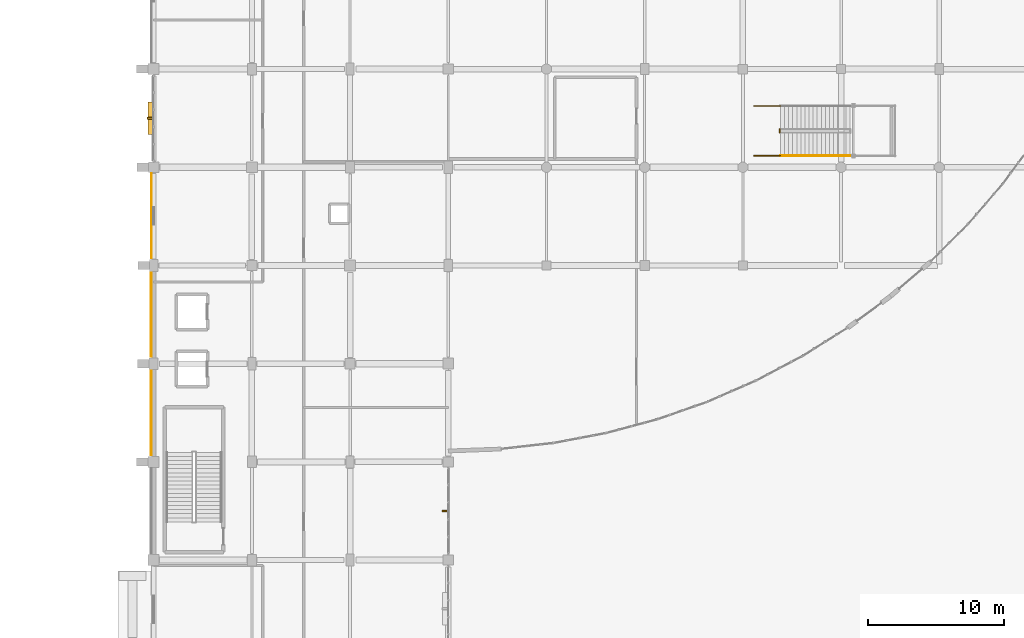
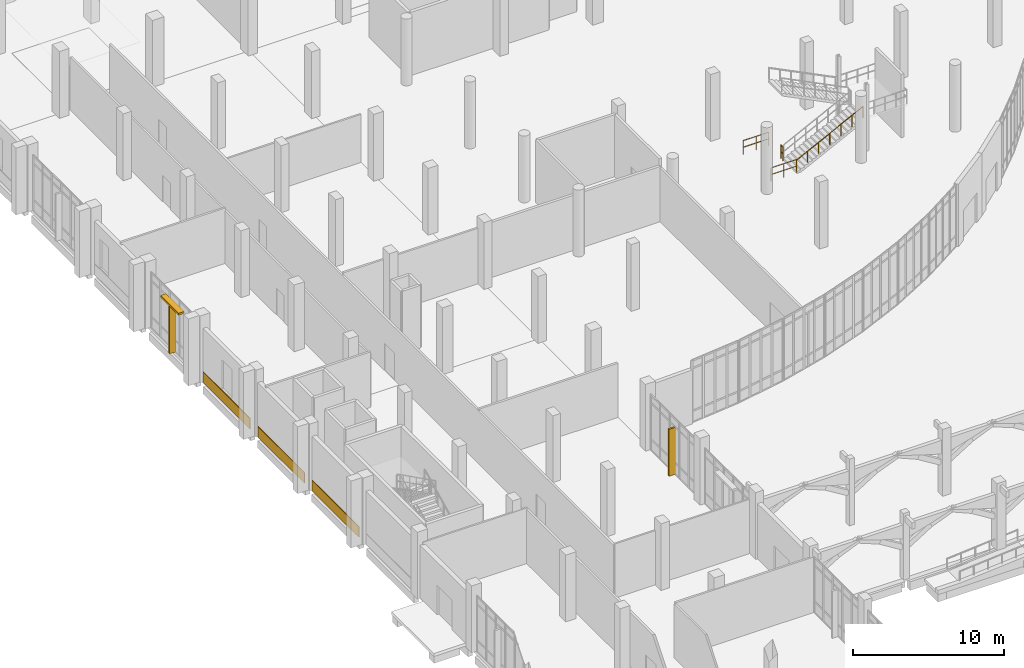
# One storey, part 101 of 110: 4 railings, 3 coverings, 3 shading devices.
"""IFC4 building model written with IfcOpenShell, lengths in metres."""

import ifcopenshell
import ifcopenshell.guid

model = None  # the IFC model being written
_history = None  # IfcOwnerHistory: only IFC2X3 demands one
_inside = {}  # id of a spatial element -> (the spatial element, [elements in it])
_under = {}  # id of a project, library or spatial element -> (it, [spatial elements below it])
_declared = {}  # id of a project -> (the project, [libraries it declares])
_typed = {}  # id of a type object -> (the type object, [elements of that type])
_made_of = {}  # id of a material, layer set ... -> (it, [elements and type objects made of it])


def new_model(schema):
    """Start an empty IFC model of exactly this schema.

    Asked for "IFC4X3", IfcOpenShell would pick the latest addendum, in which some entities
    have other attributes; the version numbers below select the first issue.
    IFC2X3 requires an IfcOwnerHistory on every rooted entity: one is made here for all.
    """
    global model, _history
    if schema == "IFC4X3":
        model = ifcopenshell.file(schema_version=(4, 3, 0, 0))
    else:
        model = ifcopenshell.file(schema=schema)
    _inside.clear()
    _under.clear()
    _declared.clear()
    _typed.clear()
    _made_of.clear()
    _history = None
    if model.schema == "IFC2X3":
        org = make("IfcOrganization", Name="unknown")
        user = make(
            "IfcPersonAndOrganization",
            ThePerson=make("IfcPerson", FamilyName="unknown"),
            TheOrganization=org,
        )
        app = make(
            "IfcApplication",
            ApplicationDeveloper=org,
            Version="unknown",
            ApplicationFullName="unknown",
            ApplicationIdentifier="unknown",
        )
        _history = make(
            "IfcOwnerHistory",
            OwningUser=user,
            OwningApplication=app,
            ChangeAction="ADDED",
            CreationDate=0,
        )
    return model


def make(cls, **values):
    """One entity of the class cls with the attributes given. An attribute that is None is left unset."""
    return model.create_entity(
        cls, **{name: value for name, value in values.items() if value is not None}
    )


def rooted(cls, **values):
    """An entity with a GlobalId (a new one), such as an element, a storey or a relation."""
    return make(cls, GlobalId=ifcopenshell.guid.new(), OwnerHistory=_history, **values)


def si_unit(unit_type, name, prefix=None):
    """IfcSIUnit, for example si_unit("LENGTHUNIT", "METRE", prefix="MILLI")."""
    return make("IfcSIUnit", UnitType=unit_type, Prefix=prefix, Name=name)


def assignment(units):
    """IfcUnitAssignment: the units of a project."""
    return None if units is None else make("IfcUnitAssignment", Units=units)


def point(xyz):
    """IfcCartesianPoint."""
    return None if xyz is None else make("IfcCartesianPoint", Coordinates=xyz)


def direction(xyz):
    """IfcDirection."""
    return None if xyz is None else make("IfcDirection", DirectionRatios=xyz)


def frame(location, z_axis=None, x_axis=None):
    """IfcAxis2Placement3D, a coordinate frame: its origin and axes. An axis left out is left unset."""
    return make(
        "IfcAxis2Placement3D",
        Location=point(location),
        Axis=direction(z_axis),
        RefDirection=direction(x_axis),
    )


def frame_2d(location, x_axis=None):
    """IfcAxis2Placement2D, a coordinate frame in the plane: its origin and x axis."""
    return make(
        "IfcAxis2Placement2D", Location=point(location), RefDirection=direction(x_axis)
    )


def origin():
    """The frame at (0, 0, 0) with its axes left unset."""
    return frame((0.0, 0.0, 0.0))


def origin_2d():
    """The frame at (0, 0) in the plane with its x axis left unset."""
    return frame_2d((0.0, 0.0))


def place(relative_to, where):
    """IfcLocalPlacement: puts the frame where relative to a parent placement (None: the world)."""
    return make(
        "IfcLocalPlacement", PlacementRelTo=relative_to, RelativePlacement=where
    )


def context(
    kind, dimensions, precision=None, world=None, true_north=None, identifier=None
):
    """IfcGeometricRepresentationContext, for example the 3D "Model" context."""
    return make(
        "IfcGeometricRepresentationContext",
        ContextIdentifier=identifier,
        ContextType=kind,
        CoordinateSpaceDimension=dimensions,
        Precision=precision,
        WorldCoordinateSystem=world,
        TrueNorth=true_north,
    )


def subcontext(parent, identifier, kind, view, scale=None):
    """IfcGeometricRepresentationSubContext, for example "Body" below "Model"."""
    return make(
        "IfcGeometricRepresentationSubContext",
        ContextIdentifier=identifier,
        ContextType=kind,
        ParentContext=parent,
        TargetScale=scale,
        TargetView=view,
    )


def project(units=None, contexts=None):
    """IfcProject with its units and contexts."""
    return rooted(
        "IfcProject",
        Name="project",
        RepresentationContexts=contexts,
        UnitsInContext=assignment(units),
    )


def spatial(cls, under=None, at=None, **own):
    """A site, building, storey or space (cls), placed at a placement, below another one or the project."""
    s = rooted(cls, ObjectPlacement=at, **own)
    if under is not None:
        _under.setdefault(under.id(), (under, []))[1].append(s)
    return s


def profile(cls, at=None, kind="AREA", **sizes):
    """A parametric profile (cls). Its sizes go by their IFC names, for example OverallWidth=200.0."""
    return make(cls, ProfileType=kind, Position=at, **sizes)


def rectangle(**sizes):
    """IfcRectangleProfileDef."""
    return profile("IfcRectangleProfileDef", **sizes)


def circle(**sizes):
    """IfcCircleProfileDef."""
    return profile("IfcCircleProfileDef", **sizes)


def extrude(swept, where, along, depth):
    """IfcExtrudedAreaSolid: the profile swept, set in the frame where, extruded along a direction by depth."""
    return make(
        "IfcExtrudedAreaSolid",
        SweptArea=swept,
        Position=where,
        ExtrudedDirection=direction(along),
        Depth=depth,
    )


def shape(context_of_items, identifier, shape_type, items):
    """IfcShapeRepresentation: the items that make up one representation, for example the "Body"."""
    return make(
        "IfcShapeRepresentation",
        ContextOfItems=context_of_items,
        RepresentationIdentifier=identifier,
        RepresentationType=shape_type,
        Items=items,
    )


def material(Name=None, Category=None):
    """IfcMaterial."""
    return make("IfcMaterial", Name=Name, Category=Category)


def layer(
    of_material, thickness, ventilated=None, Name=None, Category=None, Priority=None
):
    """IfcMaterialLayer: one layer of a wall or slab, of a material (None: an air gap)."""
    return make(
        "IfcMaterialLayer",
        Material=of_material,
        LayerThickness=thickness,
        IsVentilated=ventilated,
        Name=Name,
        Category=Category,
        Priority=Priority,
    )


def layer_set(layers, Name=None):
    """IfcMaterialLayerSet."""
    return make("IfcMaterialLayerSet", MaterialLayers=layers, LayerSetName=Name)


def made_of(thing, what):
    """Note that an element or type object is made of a material, layer set ...; save() writes the relation."""
    if what is not None:
        _made_of.setdefault(what.id(), (what, []))[1].append(thing)
    return thing


def type_object(cls, material=None, **own):
    """A type object (cls), such as IfcWallType, which elements share."""
    return made_of(rooted(cls, **own), material)


def element(
    cls,
    number,
    at=None,
    inside=None,
    cuts=None,
    type_object=None,
    material=None,
    context=None,
    identifier="Body",
    shape_type=None,
    held_by="IfcProductDefinitionShape",
    body=None,
    shapes=None,
    **own,
):
    """One element of the class cls, such as IfcWall. Its Tag is "e" and its number.

    at: its placement. inside: the storey or other place that contains it. cuts: it is an
    opening in that element (IfcRelVoidsElement). A single representation is given by context,
    identifier, shape_type and body (its items); several are given by shapes. held_by: the class
    of the entity that holds the representations. save() writes the other relations.
    """
    e = rooted(cls, Tag="e%d" % number, ObjectPlacement=at, **own)
    if body is not None:
        shapes = [shape(context, identifier, shape_type, body)]
    if shapes is not None:
        e.Representation = make(held_by, Representations=shapes)
    if inside is not None:
        _inside.setdefault(inside.id(), (inside, []))[1].append(e)
    if cuts is not None:
        rooted(
            "IfcRelVoidsElement", RelatingBuildingElement=cuts, RelatedOpeningElement=e
        )
    if type_object is not None:
        _typed.setdefault(type_object.id(), (type_object, []))[1].append(e)
    return made_of(e, material)


def aggregate(whole, parts):
    """IfcRelAggregates: a whole, such as a stair, and the parts it consists of."""
    return rooted("IfcRelAggregates", RelatingObject=whole, RelatedObjects=parts)


def save(model, path):
    """Write the relations noted so far, then the file.

    IfcRelAggregates (storeys below a building ...), IfcRelContainedInSpatialStructure (elements
    in a storey), IfcRelDefinesByType, IfcRelAssociatesMaterial and IfcRelDeclares: one each for
    every whole, place, type object, material and project.
    """
    for whole, parts in _under.values():
        aggregate(whole, parts)
    for where, things in _inside.values():
        rooted(
            "IfcRelContainedInSpatialStructure",
            RelatedElements=things,
            RelatingStructure=where,
        )
    for kind, things in _typed.values():
        rooted("IfcRelDefinesByType", RelatedObjects=things, RelatingType=kind)
    for what, things in _made_of.values():
        rooted("IfcRelAssociatesMaterial", RelatedObjects=things, RelatingMaterial=what)
    for by, libraries in _declared.values():
        rooted("IfcRelDeclares", RelatingContext=by, RelatedDefinitions=libraries)
    model.write(path)


model = new_model("IFC4")

# Units and contexts
model_context = context("Model", 3, precision=1e-05, world=origin(), true_north=direction((0.0, 1.0)))
body_context = subcontext(model_context, "Body", "Model", "MODEL_VIEW")
ifc_project = project(units=[si_unit("LENGTHUNIT", "METRE"), si_unit("AREAUNIT", "SQUARE_METRE"), si_unit("VOLUMEUNIT", "CUBIC_METRE"), si_unit("PLANEANGLEUNIT", "RADIAN"), si_unit("MASSUNIT", "GRAM", prefix="KILO")], contexts=[model_context])

# Site, building, storey
site_placement = place(None, origin())
site = spatial("IfcSite", under=ifc_project, at=site_placement, CompositionType="ELEMENT")
building_placement = place(site_placement, origin())
building = spatial("IfcBuilding", under=site, at=building_placement, Name="Kalluvel Institute of Natural Sciences", CompositionType="ELEMENT")
storey_placement = place(building_placement, origin())
storey = spatial("IfcBuildingStorey", under=building, at=storey_placement, Name="L00", CompositionType="ELEMENT", Elevation=0.0)

# Coverings
ifc_material_1 = material(Name="Sadarahalli Grey Granite Ashlar Concrete M40", Category="masonry")
ifc_layer = layer(ifc_material_1, 0.044921875)
ifc_layer_set = layer_set([ifc_layer], Name="Sadarahalli Grey Granite Ashlar Concrete M40")
covering_type = type_object("IfcCoveringType", Name="COV-CLAD-STONE", PredefinedType="CLADDING", material=ifc_layer_set)
covering_1_placement = place(storey_placement, frame((13.820068359375, 53.58740234375, 0.02490234375), z_axis=(0.0, 0.0, 1.0), x_axis=(0.0, 1.0, 0.0)))
element("IfcCovering", 1, at=covering_1_placement, inside=storey, type_object=covering_type, Name="L00 Sadarahalli granite plinth spandrel cladding 130", PredefinedType="CLADDING", context=body_context, shape_type="SweptSolid", body=[
    extrude(rectangle(XDim=6.215087890625, YDim=0.044921875, at=origin_2d()), origin(), (0.0, 0.0, 1.0), 0.85009765625),
])
covering_2_placement = place(storey_placement, frame((13.820068359375, 60.78759765625, 0.02490234375), z_axis=(0.0, 0.0, 1.0), x_axis=(0.0, 1.0, 0.0)))
element("IfcCovering", 2, at=covering_2_placement, inside=storey, type_object=covering_type, Name="L00 Sadarahalli granite plinth spandrel cladding 131", PredefinedType="CLADDING", context=body_context, shape_type="SweptSolid", body=[
    extrude(rectangle(XDim=6.1650390625, YDim=0.044921875, at=origin_2d()), origin(), (0.0, 0.0, 1.0), 0.85009765625),
])
covering_3_placement = place(storey_placement, frame((13.830078125, 68.03759765625, 0.02490234375), z_axis=(0.0, 0.0, 1.0), x_axis=(0.0, 1.0, 0.0)))
element("IfcCovering", 3, at=covering_3_placement, inside=storey, type_object=covering_type, Name="L00 Sadarahalli granite plinth spandrel cladding 132", PredefinedType="CLADDING", context=body_context, shape_type="SweptSolid", body=[
    extrude(rectangle(XDim=6.215087890625, YDim=0.044921875, at=origin_2d()), origin(), (0.0, 0.0, 1.0), 0.85009765625),
])

# Railings
ifc_material_2 = material(Name="Galvanized Fire-Rated Steel", Category="steel")
railing_type_1 = type_object("IfcRailingType", Name="RL-GD-STAIR", PredefinedType="BALUSTRADE", material=ifc_material_2)
railing_1_placement = place(storey_placement, frame((59.89990234375, 74.135009765625, 0.0)))
element("IfcRailing", 4, at=railing_1_placement, inside=storey, type_object=railing_type_1, Name="L00 ST6 stair guard 7", PredefinedType="BALUSTRADE", context=body_context, shape_type="SweptSolid", body=[
    extrude(circle(Radius=0.02392578125, at=origin_2d()), frame((0.0, 0.0, 1.09619140625), z_axis=(0.0, 1.0, 0.0), x_axis=(-1.0, 0.0, 0.0)), (0.0, 0.0, 1.0), 0.280029296875),
    extrude(circle(Radius=0.02392578125, at=origin_2d()), frame((0.0, 0.0, 0.56005859375), z_axis=(0.0, 1.0, 0.0), x_axis=(-1.0, 0.0, 0.0)), (0.0, 0.0, 1.0), 0.280029296875),
    extrude(circle(Radius=0.02099609375, at=origin_2d()), origin(), (0.0, 0.0, 1.0), 1.072021484375),
    extrude(circle(Radius=0.02099609375, at=origin_2d()), frame((0.0, 0.280029296875, 0.0)), (0.0, 0.0, 1.0), 1.072021484375),
])
for number, where, name in (
    (5, (58.0, 72.449951171875, 0.0), "L00 ST6 stair guard 8"),
    (6, (58.0, 76.10009765625, 0.0), "L00 ST6 stair guard 9"),
):
    element("IfcRailing", number, at=place(storey_placement, frame(where)), inside=storey, type_object=railing_type_1, Name=name, PredefinedType="BALUSTRADE", context=body_context, shape_type="SweptSolid", body=[
        extrude(circle(Radius=0.02392578125, at=origin_2d()), frame((0.0, 0.0, 1.09619140625), z_axis=(1.0, 0.0, 0.0), x_axis=(0.0, 1.0, 0.0)), (0.0, 0.0, 1.0), 1.949951171875),
        extrude(circle(Radius=0.02392578125, at=origin_2d()), frame((0.0, 0.0, 0.56005859375), z_axis=(1.0, 0.0, 0.0), x_axis=(0.0, 1.0, 0.0)), (0.0, 0.0, 1.0), 1.949951171875),
        extrude(circle(Radius=0.02099609375, at=origin_2d()), origin(), (0.0, 0.0, 1.0), 1.072021484375),
        extrude(circle(Radius=0.02099609375, at=origin_2d()), frame((0.97509765625, 0.0, 0.0)), (0.0, 0.0, 1.0), 1.072021484375),
        extrude(circle(Radius=0.02099609375, at=origin_2d()), frame((1.949951171875, 0.0, 0.0)), (0.0, 0.0, 1.0), 1.072021484375),
    ])
railing_type_2 = type_object("IfcRailingType", Name="RL-HR-STAIR", PredefinedType="HANDRAIL", material=ifc_material_2)
railing_2_placement = place(storey_placement, frame((59.949951171875, 72.449951171875, 0.14990234375)))
element("IfcRailing", 7, at=railing_2_placement, inside=storey, type_object=railing_type_2, Name="L00 ST6 stair handrail 1", PredefinedType="HANDRAIL", context=body_context, shape_type="SweptSolid", body=[
    extrude(circle(Radius=0.02392578125, at=origin_2d()), frame((0.0, 0.0, 0.89599609375), z_axis=(0.894427191, 0.0, 0.4472135955), x_axis=(0.0, 1.0, 0.0)), (0.0, 0.0, 1.0), 5.7021484375),
    extrude(circle(Radius=0.02099609375, at=origin_2d()), origin(), (0.0, 0.0, 1.0), 0.871826171875),
    extrude(circle(Radius=0.02099609375, at=origin_2d()), frame((0.85009765625, 0.0, 0.425048828125)), (0.0, 0.0, 1.0), 0.871826171875),
    extrude(circle(Radius=0.02099609375, at=origin_2d()), frame((1.699951171875, 0.0, 0.85009765625)), (0.0, 0.0, 1.0), 0.871826171875),
    extrude(circle(Radius=0.02099609375, at=origin_2d()), frame((2.550048828125, 0.0, 1.27490234375)), (0.0, 0.0, 1.0), 0.871826171875),
    extrude(circle(Radius=0.02099609375, at=origin_2d()), frame((3.400146484375, 0.0, 1.699951171875)), (0.0, 0.0, 1.0), 0.871826171875),
    extrude(circle(Radius=0.02099609375, at=origin_2d()), frame((4.25, 0.0, 2.125)), (0.0, 0.0, 1.0), 0.871826171875),
    extrude(circle(Radius=0.02099609375, at=origin_2d()), frame((5.10009765625, 0.0, 2.550048828125)), (0.0, 0.0, 1.0), 0.871826171875),
])

# Shading devices
shading_device_type_1 = type_object("IfcShadingDeviceType", Name="SHD-FIN-STONE", PredefinedType="USERDEFINED", material=ifc_material_1)
for number, where, z_axis, x_axis, name in (
    (8, (13.780029296875, 75.1875, 0.0), (0.0, 0.0, 1.0), (0.0, 1.0, 0.0), "L00 monsoon lancet shading fin 117"),
    (9, (35.3798828125, 46.39990234375, 0.0), (0.0, 0.0, 1.0), (0.0, 1.0, 0.0), "L00 monsoon lancet shading fin 125"),
):
    element("IfcShadingDevice", number, at=place(storey_placement, frame(where, z_axis=z_axis, x_axis=x_axis)), inside=storey, type_object=shading_device_type_1, Name=name, ObjectType="MONSOON FIN", PredefinedType="USERDEFINED", context=body_context, shape_type="SweptSolid", body=[
        extrude(rectangle(XDim=0.139892578125, YDim=0.47998046875, at=origin_2d()), origin(), (0.0, 0.0, 1.0), 3.800048828125),
    ])
ifc_material_3 = material(Name="Aluminium AW-6063 T6", Category="aluminium")
shading_device_type_2 = type_object("IfcShadingDeviceType", Name="SHD-LOUV-ALU", PredefinedType="JALOUSIE", material=ifc_material_3)
shading_device_placement = place(storey_placement, frame((13.800048828125, 75.1875, 3.7900390625), z_axis=(0.0, 0.0, 1.0), x_axis=(0.0, 1.0, 0.0)))
element("IfcShadingDevice", 10, at=shading_device_placement, inside=storey, type_object=shading_device_type_2, Name="L00 aluminium sun-shading louvre 118", PredefinedType="JALOUSIE", context=body_context, shape_type="SweptSolid", body=[
    extrude(rectangle(XDim=2.39990234375, YDim=0.419921875, at=origin_2d()), origin(), (0.0, 0.0, 1.0), 0.159912109375),
])

save(model, "model.ifc")
